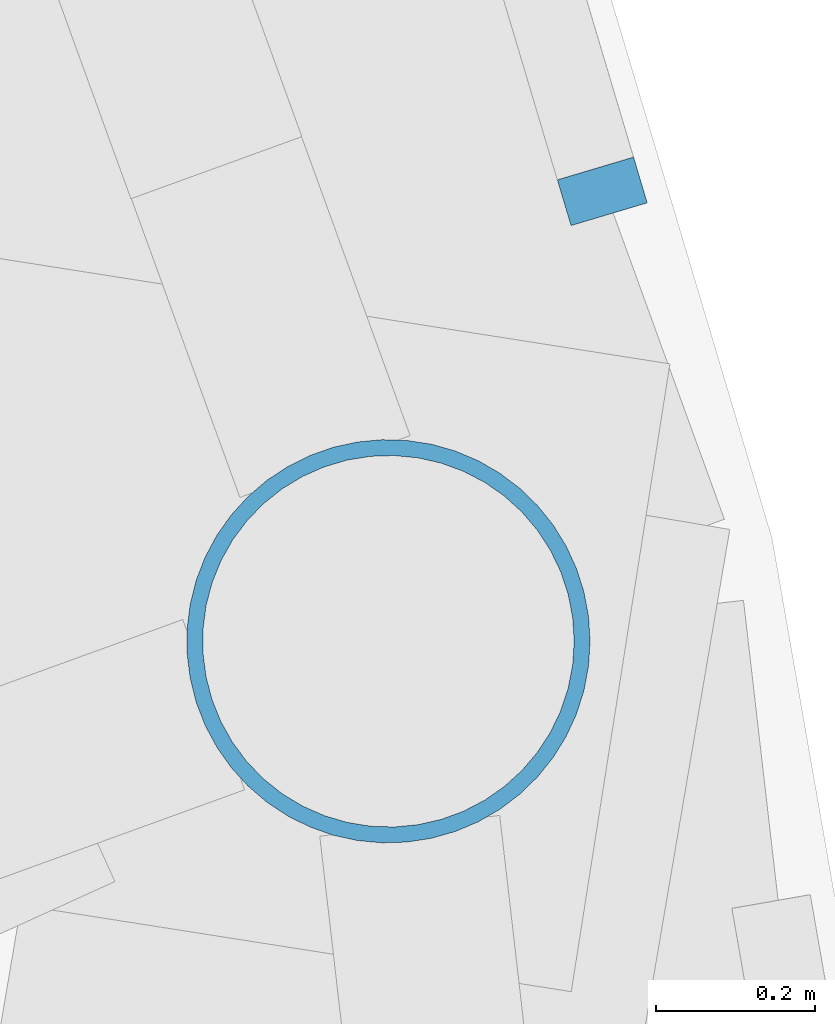
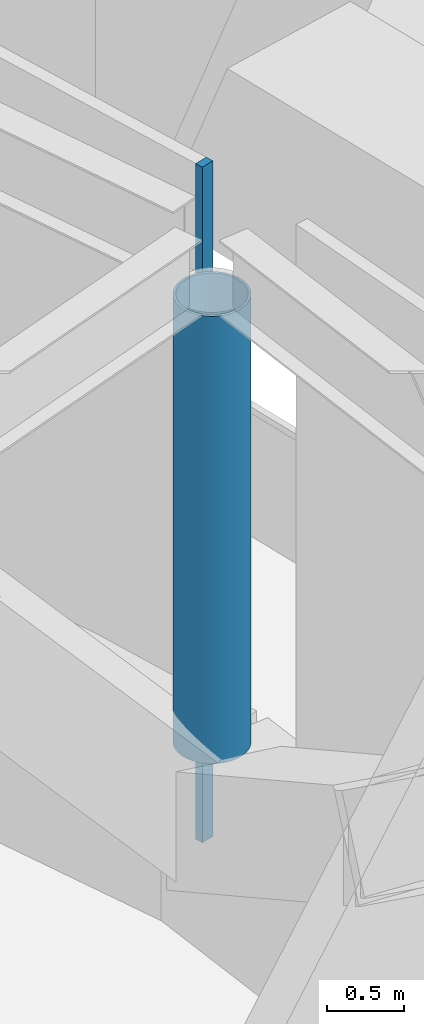
# One storey, part 32 of 65: 2 members, 1 element without a shape of its own.
"""IFC4 building model written with IfcOpenShell, lengths in metres."""

import ifcopenshell
import ifcopenshell.guid

model = None  # the IFC model being written
_history = None  # IfcOwnerHistory: only IFC2X3 demands one
_inside = {}  # id of a spatial element -> (the spatial element, [elements in it])
_under = {}  # id of a project, library or spatial element -> (it, [spatial elements below it])
_declared = {}  # id of a project -> (the project, [libraries it declares])
_typed = {}  # id of a type object -> (the type object, [elements of that type])
_made_of = {}  # id of a material, layer set ... -> (it, [elements and type objects made of it])


def new_model(schema):
    """Start an empty IFC model of exactly this schema.

    Asked for "IFC4X3", IfcOpenShell would pick the latest addendum, in which some entities
    have other attributes; the version numbers below select the first issue.
    IFC2X3 requires an IfcOwnerHistory on every rooted entity: one is made here for all.
    """
    global model, _history
    if schema == "IFC4X3":
        model = ifcopenshell.file(schema_version=(4, 3, 0, 0))
    else:
        model = ifcopenshell.file(schema=schema)
    _inside.clear()
    _under.clear()
    _declared.clear()
    _typed.clear()
    _made_of.clear()
    _history = None
    if model.schema == "IFC2X3":
        org = make("IfcOrganization", Name="unknown")
        user = make(
            "IfcPersonAndOrganization",
            ThePerson=make("IfcPerson", FamilyName="unknown"),
            TheOrganization=org,
        )
        app = make(
            "IfcApplication",
            ApplicationDeveloper=org,
            Version="unknown",
            ApplicationFullName="unknown",
            ApplicationIdentifier="unknown",
        )
        _history = make(
            "IfcOwnerHistory",
            OwningUser=user,
            OwningApplication=app,
            ChangeAction="ADDED",
            CreationDate=0,
        )
    return model


def make(cls, **values):
    """One entity of the class cls with the attributes given. An attribute that is None is left unset."""
    return model.create_entity(
        cls, **{name: value for name, value in values.items() if value is not None}
    )


def rooted(cls, **values):
    """An entity with a GlobalId (a new one), such as an element, a storey or a relation."""
    return make(cls, GlobalId=ifcopenshell.guid.new(), OwnerHistory=_history, **values)


def si_unit(unit_type, name, prefix=None):
    """IfcSIUnit, for example si_unit("LENGTHUNIT", "METRE", prefix="MILLI")."""
    return make("IfcSIUnit", UnitType=unit_type, Prefix=prefix, Name=name)


def assignment(units):
    """IfcUnitAssignment: the units of a project."""
    return None if units is None else make("IfcUnitAssignment", Units=units)


def point(xyz):
    """IfcCartesianPoint."""
    return None if xyz is None else make("IfcCartesianPoint", Coordinates=xyz)


def direction(xyz):
    """IfcDirection."""
    return None if xyz is None else make("IfcDirection", DirectionRatios=xyz)


def frame(location, z_axis=None, x_axis=None):
    """IfcAxis2Placement3D, a coordinate frame: its origin and axes. An axis left out is left unset."""
    return make(
        "IfcAxis2Placement3D",
        Location=point(location),
        Axis=direction(z_axis),
        RefDirection=direction(x_axis),
    )


def frame_2d(location, x_axis=None):
    """IfcAxis2Placement2D, a coordinate frame in the plane: its origin and x axis."""
    return make(
        "IfcAxis2Placement2D", Location=point(location), RefDirection=direction(x_axis)
    )


def origin():
    """The frame at (0, 0, 0) with its axes left unset."""
    return frame((0.0, 0.0, 0.0))


def origin_2d():
    """The frame at (0, 0) in the plane with its x axis left unset."""
    return frame_2d((0.0, 0.0))


def place(relative_to, where):
    """IfcLocalPlacement: puts the frame where relative to a parent placement (None: the world)."""
    return make(
        "IfcLocalPlacement", PlacementRelTo=relative_to, RelativePlacement=where
    )


def context(
    kind, dimensions, precision=None, world=None, true_north=None, identifier=None
):
    """IfcGeometricRepresentationContext, for example the 3D "Model" context."""
    return make(
        "IfcGeometricRepresentationContext",
        ContextIdentifier=identifier,
        ContextType=kind,
        CoordinateSpaceDimension=dimensions,
        Precision=precision,
        WorldCoordinateSystem=world,
        TrueNorth=true_north,
    )


def subcontext(parent, identifier, kind, view, scale=None):
    """IfcGeometricRepresentationSubContext, for example "Body" below "Model"."""
    return make(
        "IfcGeometricRepresentationSubContext",
        ContextIdentifier=identifier,
        ContextType=kind,
        ParentContext=parent,
        TargetScale=scale,
        TargetView=view,
    )


def project(units=None, contexts=None):
    """IfcProject with its units and contexts."""
    return rooted(
        "IfcProject",
        Name="project",
        RepresentationContexts=contexts,
        UnitsInContext=assignment(units),
    )


def spatial(cls, under=None, at=None, **own):
    """A site, building, storey or space (cls), placed at a placement, below another one or the project."""
    s = rooted(cls, ObjectPlacement=at, **own)
    if under is not None:
        _under.setdefault(under.id(), (under, []))[1].append(s)
    return s


def profile(cls, at=None, kind="AREA", **sizes):
    """A parametric profile (cls). Its sizes go by their IFC names, for example OverallWidth=200.0."""
    return make(cls, ProfileType=kind, Position=at, **sizes)


def rectangle(**sizes):
    """IfcRectangleProfileDef."""
    return profile("IfcRectangleProfileDef", **sizes)


def hollow_circle(**sizes):
    """IfcCircleHollowProfileDef."""
    return profile("IfcCircleHollowProfileDef", **sizes)


def extrude(swept, where, along, depth):
    """IfcExtrudedAreaSolid: the profile swept, set in the frame where, extruded along a direction by depth."""
    return make(
        "IfcExtrudedAreaSolid",
        SweptArea=swept,
        Position=where,
        ExtrudedDirection=direction(along),
        Depth=depth,
    )


def shape(context_of_items, identifier, shape_type, items):
    """IfcShapeRepresentation: the items that make up one representation, for example the "Body"."""
    return make(
        "IfcShapeRepresentation",
        ContextOfItems=context_of_items,
        RepresentationIdentifier=identifier,
        RepresentationType=shape_type,
        Items=items,
    )


def material(Name=None, Category=None):
    """IfcMaterial."""
    return make("IfcMaterial", Name=Name, Category=Category)


def layer(
    of_material, thickness, ventilated=None, Name=None, Category=None, Priority=None
):
    """IfcMaterialLayer: one layer of a wall or slab, of a material (None: an air gap)."""
    return make(
        "IfcMaterialLayer",
        Material=of_material,
        LayerThickness=thickness,
        IsVentilated=ventilated,
        Name=Name,
        Category=Category,
        Priority=Priority,
    )


def layer_set(layers, Name=None):
    """IfcMaterialLayerSet."""
    return make("IfcMaterialLayerSet", MaterialLayers=layers, LayerSetName=Name)


def material_profile(
    of_material, cross_section, Name=None, Category=None, Priority=None
):
    """IfcMaterialProfile: a cross section and its material."""
    return make(
        "IfcMaterialProfile",
        Name=Name,
        Material=of_material,
        Profile=cross_section,
        Priority=Priority,
        Category=Category,
    )


def profile_set(profiles, Name=None, composite=None):
    """IfcMaterialProfileSet."""
    return make(
        "IfcMaterialProfileSet",
        Name=Name,
        MaterialProfiles=profiles,
        CompositeProfile=composite,
    )


def made_of(thing, what):
    """Note that an element or type object is made of a material, layer set ...; save() writes the relation."""
    if what is not None:
        _made_of.setdefault(what.id(), (what, []))[1].append(thing)
    return thing


def type_object(cls, material=None, **own):
    """A type object (cls), such as IfcWallType, which elements share."""
    return made_of(rooted(cls, **own), material)


def element(
    cls,
    number,
    at=None,
    inside=None,
    cuts=None,
    type_object=None,
    material=None,
    context=None,
    identifier="Body",
    shape_type=None,
    held_by="IfcProductDefinitionShape",
    body=None,
    shapes=None,
    **own,
):
    """One element of the class cls, such as IfcWall. Its Tag is "e" and its number.

    at: its placement. inside: the storey or other place that contains it. cuts: it is an
    opening in that element (IfcRelVoidsElement). A single representation is given by context,
    identifier, shape_type and body (its items); several are given by shapes. held_by: the class
    of the entity that holds the representations. save() writes the other relations.
    """
    e = rooted(cls, Tag="e%d" % number, ObjectPlacement=at, **own)
    if body is not None:
        shapes = [shape(context, identifier, shape_type, body)]
    if shapes is not None:
        e.Representation = make(held_by, Representations=shapes)
    if inside is not None:
        _inside.setdefault(inside.id(), (inside, []))[1].append(e)
    if cuts is not None:
        rooted(
            "IfcRelVoidsElement", RelatingBuildingElement=cuts, RelatedOpeningElement=e
        )
    if type_object is not None:
        _typed.setdefault(type_object.id(), (type_object, []))[1].append(e)
    return made_of(e, material)


def aggregate(whole, parts):
    """IfcRelAggregates: a whole, such as a stair, and the parts it consists of."""
    return rooted("IfcRelAggregates", RelatingObject=whole, RelatedObjects=parts)


def save(model, path):
    """Write the relations noted so far, then the file.

    IfcRelAggregates (storeys below a building ...), IfcRelContainedInSpatialStructure (elements
    in a storey), IfcRelDefinesByType, IfcRelAssociatesMaterial and IfcRelDeclares: one each for
    every whole, place, type object, material and project.
    """
    for whole, parts in _under.values():
        aggregate(whole, parts)
    for where, things in _inside.values():
        rooted(
            "IfcRelContainedInSpatialStructure",
            RelatedElements=things,
            RelatingStructure=where,
        )
    for kind, things in _typed.values():
        rooted("IfcRelDefinesByType", RelatedObjects=things, RelatingType=kind)
    for what, things in _made_of.values():
        rooted("IfcRelAssociatesMaterial", RelatedObjects=things, RelatingMaterial=what)
    for by, libraries in _declared.values():
        rooted("IfcRelDeclares", RelatingContext=by, RelatedDefinitions=libraries)
    model.write(path)


model = new_model("IFC4")

# Units and contexts
model_context = context("Model", 3, precision=1e-05, world=origin(), true_north=direction((0.0, 1.0)))
body_context = subcontext(model_context, "Body", "Model", "MODEL_VIEW")
ifc_project = project(units=[si_unit("LENGTHUNIT", "METRE"), si_unit("AREAUNIT", "SQUARE_METRE"), si_unit("VOLUMEUNIT", "CUBIC_METRE"), si_unit("PLANEANGLEUNIT", "RADIAN"), si_unit("MASSUNIT", "GRAM", prefix="KILO")], contexts=[model_context])

# Site, building, storey
site_placement = place(None, origin())
site = spatial("IfcSite", under=ifc_project, at=site_placement, CompositionType="ELEMENT")
building_placement = place(site_placement, origin())
building = spatial("IfcBuilding", under=site, at=building_placement, Name="Nagisa Residences", CompositionType="ELEMENT")
storey_placement = place(building_placement, frame((0.0, 0.0, 114.0)))
storey = spatial("IfcBuildingStorey", under=building, at=storey_placement, Name="L28", CompositionType="ELEMENT", Elevation=114.0)

# Curtain wall, member
ifc_material_1 = material(Name="Aluminium curtain wall system", Category="aluminium")
ifc_layer = layer(ifc_material_1, 0.159912109375)
ifc_layer_set = layer_set([ifc_layer], Name="CW5 CURTAIN WALL")
curtain_wall_type = type_object("IfcCurtainWallType", Name="CW5 CURTAIN WALL", PredefinedType="NOTDEFINED", material=ifc_layer_set)
curtain_wall_placement = place(storey_placement, origin())
curtain_wall = element("IfcCurtainWall", 1, at=curtain_wall_placement, inside=storey, type_object=curtain_wall_type, Name="cw:CW5:L28:02", PredefinedType="NOTDEFINED")
ifc_material_2 = material(Name="Aluminium", Category="aluminium")
ifc_material_profile_1 = material_profile(ifc_material_2, rectangle(XDim=0.10009765625, YDim=0.06005859375, at=origin_2d()), Name="CW5 MULLION 100x60")
ifc_profile_set_1 = profile_set([ifc_material_profile_1], Name="Aluminium")
member_type_1 = type_object("IfcMemberType", Name="CW5 MULLION 100x60", PredefinedType="MULLION", material=ifc_profile_set_1)
member_1_placement = place(storey_placement, frame((24.737548828125, 11.71142578125, 0.0), z_axis=(0.0, 0.0, 1.0), x_axis=(-0.958271310082, -0.285860274038, 0.0)))
member_1 = element("IfcMember", 2, at=member_1_placement, type_object=member_type_1, Name="CW5 mullion", PredefinedType="MULLION", context=body_context, shape_type="SweptSolid", body=[
    extrude(rectangle(XDim=0.10009765625, YDim=0.06005859375, at=origin_2d()), origin(), (0.0, 0.0, 1.0), 5.340087890625),
])
aggregate(curtain_wall, [member_1])

# Member
ifc_material_3 = material(Name="Steel ASTM A572 Gr 65", Category="steel")
ifc_material_profile_2 = material_profile(ifc_material_3, hollow_circle(Radius=0.25390625, WallThickness=0.02001953125, at=origin_2d()), Name="CHS 508x20")
ifc_profile_set_2 = profile_set([ifc_material_profile_2], Name="Steel ASTM A572 Gr 65")
member_type_2 = type_object("IfcMemberType", Name="Garden edge post CHS 508x20", PredefinedType="POST", material=ifc_profile_set_2)
member_2_placement = place(storey_placement, frame((24.46826171875, 11.14501953125, 1.199951171875), z_axis=(0.0, 0.0, 1.0), x_axis=(1.0, 0.0, 0.0)))
element("IfcMember", 3, at=member_2_placement, inside=storey, type_object=member_type_2, Name="mem:L28:gp202", PredefinedType="POST", context=body_context, shape_type="SweptSolid", body=[
    extrude(hollow_circle(Radius=0.25390625, WallThickness=0.02001953125, at=origin_2d()), origin(), (0.0, 0.0, 1.0), 3.537109375),
])

save(model, "model.ifc")
